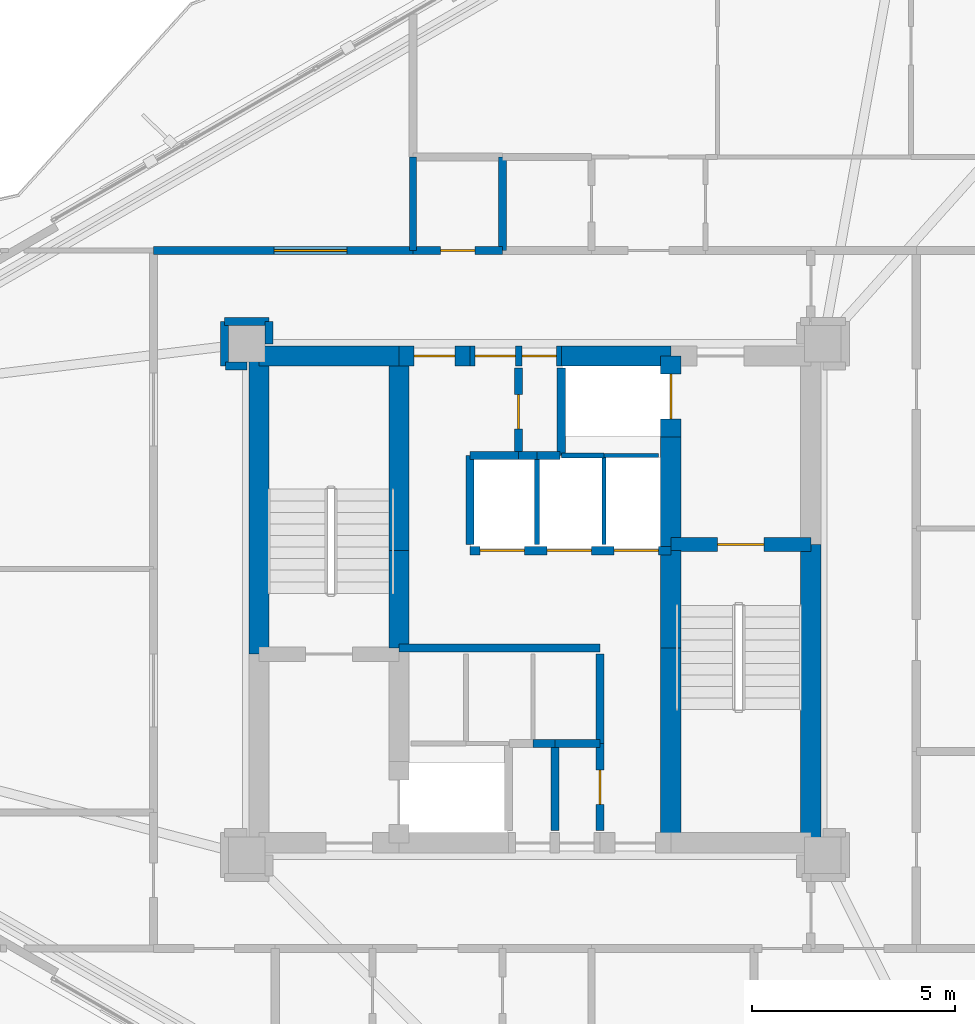
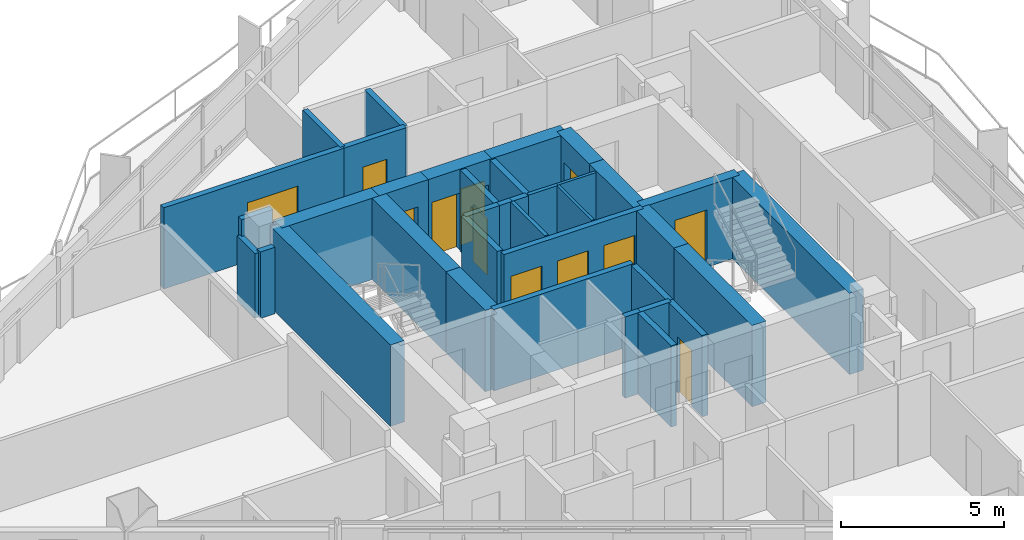
# One storey, part 17 of 22: 38 walls, 12 doors, 12 openings.
"""IFC4 building model written with IfcOpenShell, lengths in metres."""

from ifc_helpers import new_model, si_unit, direction, frame, frame_2d, origin, place, context, subcontext, project, spatial, rectangle, extrude, material, layer, layer_set, type_object, element, fill, save


model = new_model("IFC4")

# Units and contexts
model_context = context("Model", 3, precision=1e-05, world=origin(), true_north=direction((0.0, 1.0)))
body_context = subcontext(model_context, "Body", "Model", "MODEL_VIEW")
ifc_project = project(units=[si_unit("LENGTHUNIT", "METRE"), si_unit("AREAUNIT", "SQUARE_METRE"), si_unit("VOLUMEUNIT", "CUBIC_METRE"), si_unit("PLANEANGLEUNIT", "RADIAN"), si_unit("MASSUNIT", "GRAM", prefix="KILO")], contexts=[model_context])

# Site, building, storey
site_placement = place(None, origin())
site = spatial("IfcSite", under=ifc_project, at=site_placement, CompositionType="ELEMENT")
building_placement = place(site_placement, origin())
building = spatial("IfcBuilding", under=site, at=building_placement, Name="Mersakhor Tower and Convention Hall", CompositionType="ELEMENT")
storey_placement = place(building_placement, frame((0.0, 0.0, 90.0)))
storey = spatial("IfcBuildingStorey", under=building, at=storey_placement, Name="L24", CompositionType="ELEMENT", Elevation=90.0)

# Walls
ifc_material_1 = material(Name="Moisture-resistant acoustic drywall studwork", Category="other")
ifc_layer_1 = layer(ifc_material_1, 0.175048828125)
ifc_layer_set_1 = layer_set([ifc_layer_1], Name="Moisture-resistant acoustic drywall studwork")
wall_type_1 = type_object("IfcWallType", Name="WL-PLM-175", PredefinedType="PLUMBINGWALL", material=ifc_layer_set_1)
wall_1_placement = place(storey_placement, frame((26.0, 35.35009765625, 0.0), z_axis=(0.0, 0.0, 1.0), x_axis=(0.0, 1.0, 0.0)))
element("IfcWall", 1, at=wall_1_placement, inside=storey, type_object=wall_type_1, Name="L24 Interior Partition Wall P-068", PredefinedType="PLUMBINGWALL", context=body_context, shape_type="SweptSolid", body=[
    extrude(rectangle(XDim=2.2998046875, YDim=0.175048828125, at=frame_2d((1.14990234375, 0.0))), origin(), (0.0, 0.0, 1.0), 3.050048828125),
])
ifc_material_2 = material(Name="Lightweight gypsum partition", Category="other")
ifc_layer_2 = layer(ifc_material_2, 0.10009765625)
ifc_layer_set_2 = layer_set([ifc_layer_2], Name="Lightweight gypsum partition")
wall_type_2 = type_object("IfcWallType", Name="WL-PRT-100", PredefinedType="PARTITIONING", material=ifc_layer_set_2)
wall_2_placement = place(storey_placement, frame((32.050048828125, 30.300048828125, 0.0), z_axis=(0.0, 0.0, 1.0), x_axis=(-1.0, 0.0, 0.0)))
element("IfcWall", 2, at=wall_2_placement, inside=storey, type_object=wall_type_2, Name="L24 Interior Partition Wall P-004", PredefinedType="PARTITIONING", context=body_context, shape_type="SweptSolid", body=[
    extrude(rectangle(XDim=1.35009765625, YDim=0.10009765625, at=frame_2d((0.675048828125, 0.0))), origin(), (0.0, 0.0, 1.0), 3.050048828125),
])
wall_3_placement = place(storey_placement, frame((30.699951171875, 30.300048828125, 0.0), z_axis=(0.0, 0.0, 1.0), x_axis=(0.0, -1.0, 0.0)))
element("IfcWall", 3, at=wall_3_placement, inside=storey, type_object=wall_type_2, Name="L24 Interior Partition Wall P-018", PredefinedType="PARTITIONING", context=body_context, shape_type="SweptSolid", body=[
    extrude(rectangle(XDim=2.199951171875, YDim=0.10009765625, at=frame_2d((1.10009765625, 0.0))), origin(), (0.0, 0.0, 1.0), 3.050048828125),
])
ifc_material_3 = material(Name="Gypsum board acoustic partition", Category="other")
ifc_layer_3 = layer(ifc_material_3, 0.125)
ifc_layer_set_3 = layer_set([ifc_layer_3], Name="Gypsum board acoustic partition")
wall_type_3 = type_object("IfcWallType", Name="WL-PRT-125", PredefinedType="PARTITIONING", material=ifc_layer_set_3)
wall_4_placement = place(storey_placement, frame((30.699951171875, 30.300048828125, 0.0), z_axis=(0.0, 0.0, 1.0), x_axis=(-1.0, 0.0, 0.0)))
element("IfcWall", 4, at=wall_4_placement, inside=storey, type_object=wall_type_3, Name="L24 Interior Partition Wall P-005", PredefinedType="PARTITIONING", context=body_context, shape_type="SweptSolid", body=[
    extrude(rectangle(XDim=1.050048828125, YDim=0.125, at=frame_2d((0.52490234375, 0.0))), origin(), (0.0, 0.0, 1.0), 3.050048828125),
])
wall_5_placement = place(storey_placement, frame((29.050048828125, 30.300048828125, 0.0), z_axis=(0.0, 0.0, 1.0), x_axis=(0.0, -1.0, 0.0)))
element("IfcWall", 5, at=wall_5_placement, inside=storey, type_object=wall_type_3, Name="L24 Interior Partition Wall P-015", PredefinedType="PARTITIONING", context=body_context, shape_type="SweptSolid", body=[
    extrude(rectangle(XDim=2.199951171875, YDim=0.125, at=frame_2d((1.10009765625, 0.0))), origin(), (0.0, 0.0, 1.0), 3.050048828125),
])
ifc_material_4 = material(Name="Acoustic concrete blockwork and gypsum board", Category="masonry")
ifc_layer_4 = layer(ifc_material_4, 0.199951171875)
ifc_layer_set_4 = layer_set([ifc_layer_4], Name="Acoustic concrete blockwork and gypsum board")
wall_type_4 = type_object("IfcWallType", Name="WL-PRT-200", PredefinedType="PARTITIONING", material=ifc_layer_set_4)
wall_6_placement = place(storey_placement, frame((25.64990234375, 25.550048828125, 0.0), z_axis=(0.0, 0.0, 1.0), x_axis=(1.0, 0.0, 0.0)))
element("IfcWall", 6, at=wall_6_placement, inside=storey, type_object=wall_type_4, Name="L24 High-Rise Lift Bank Front Wall", PredefinedType="PARTITIONING", context=body_context, shape_type="SweptSolid", body=[
    extrude(rectangle(XDim=4.9501953125, YDim=0.199951171875, at=frame_2d((2.47509765625, 0.0))), origin(), (0.0, 0.0, 1.0), 3.050048828125),
])

# Wall, openings, doors
wall_7_placement = place(storey_placement, frame((27.39990234375, 27.949951171875, 0.0), z_axis=(0.0, 0.0, 1.0), x_axis=(1.0, 0.0, 0.0)))
wall_7 = element("IfcWall", 7, at=wall_7_placement, inside=storey, type_object=wall_type_4, Name="L24 Low-Rise Lift Bank Front Wall", PredefinedType="PARTITIONING", context=body_context, shape_type="SweptSolid", body=[
    extrude(rectangle(XDim=4.9501953125, YDim=0.199951171875, at=frame_2d((2.47509765625, 0.0))), origin(), (0.0, 0.0, 1.0), 3.050048828125),
])
opening_1_placement = place(wall_7_placement, frame((0.25, 0.0, 0.0)))
opening_1 = element("IfcOpeningElement", 8, at=opening_1_placement, cuts=wall_7, Name="Opening LD-P1", PredefinedType="OPENING", context=body_context, shape_type="SweptSolid", body=[
    extrude(rectangle(XDim=1.10009765625, YDim=2.14990234375, at=frame_2d((0.550048828125, 1.074951171875))), frame((0.0, 0.10986328125, 0.0), z_axis=(0.0, -1.0, 0.0), x_axis=(1.0, 0.0, 0.0)), (0.0, 0.0, 1.0), 0.219970703125),
])
opening_2_placement = place(wall_7_placement, frame((1.89990234375, 0.0, 0.0)))
opening_2 = element("IfcOpeningElement", 9, at=opening_2_placement, cuts=wall_7, Name="Opening LD-P2", PredefinedType="OPENING", context=body_context, shape_type="SweptSolid", body=[
    extrude(rectangle(XDim=1.10009765625, YDim=2.14990234375, at=frame_2d((0.550048828125, 1.074951171875))), frame((0.0, 0.10986328125, 0.0), z_axis=(0.0, -1.0, 0.0), x_axis=(1.0, 0.0, 0.0)), (0.0, 0.0, 1.0), 0.219970703125),
])
opening_3_placement = place(wall_7_placement, frame((3.550048828125, 0.0, 0.0)))
opening_3 = element("IfcOpeningElement", 10, at=opening_3_placement, cuts=wall_7, Name="Opening LD-P3", PredefinedType="OPENING", context=body_context, shape_type="SweptSolid", body=[
    extrude(rectangle(XDim=1.10009765625, YDim=2.14990234375, at=frame_2d((0.550048828125, 1.074951171875))), frame((0.0, 0.10986328125, 0.0), z_axis=(0.0, -1.0, 0.0), x_axis=(1.0, 0.0, 0.0)), (0.0, 0.0, 1.0), 0.219970703125),
])
ifc_material_5 = material(Name="Fire-rated brushed stainless steel sliding landing door", Category="steel")
door_type_1 = type_object("IfcDoorType", Name="DR-LIFT-SLD-110x215", OperationType="NOTDEFINED", PredefinedType="DOOR", material=ifc_material_5)
door_1_placement = place(opening_1_placement, origin())
door_1 = element("IfcDoor", 11, at=door_1_placement, inside=storey, type_object=door_type_1, Name="L24 Lift Landing Door LD-P1", OperationType="SLIDING_TO_LEFT", OverallHeight=2.14990234375, OverallWidth=1.10009765625, PredefinedType="DOOR", context=body_context, shape_type="SweptSolid", body=[
    extrude(rectangle(XDim=1.10009765625, YDim=2.14990234375, at=frame_2d((0.550048828125, 1.074951171875))), frame((0.0, 0.02490234375, 0.0), z_axis=(0.0, -1.0, 0.0), x_axis=(1.0, 0.0, 0.0)), (0.0, 0.0, 1.0), 0.050048828125),
])
fill(opening_1, door_1)
door_2_placement = place(opening_2_placement, origin())
door_2 = element("IfcDoor", 12, at=door_2_placement, inside=storey, type_object=door_type_1, Name="L24 Lift Landing Door LD-P2", OperationType="SLIDING_TO_LEFT", OverallHeight=2.14990234375, OverallWidth=1.10009765625, PredefinedType="DOOR", context=body_context, shape_type="SweptSolid", body=[
    extrude(rectangle(XDim=1.10009765625, YDim=2.14990234375, at=frame_2d((0.550048828125, 1.074951171875))), frame((0.0, 0.02490234375, 0.0), z_axis=(0.0, -1.0, 0.0), x_axis=(1.0, 0.0, 0.0)), (0.0, 0.0, 1.0), 0.050048828125),
])
fill(opening_2, door_2)
door_3_placement = place(opening_3_placement, origin())
door_3 = element("IfcDoor", 13, at=door_3_placement, inside=storey, type_object=door_type_1, Name="L24 Lift Landing Door LD-P3", OperationType="SLIDING_TO_LEFT", OverallHeight=2.14990234375, OverallWidth=1.10009765625, PredefinedType="DOOR", context=body_context, shape_type="SweptSolid", body=[
    extrude(rectangle(XDim=1.10009765625, YDim=2.14990234375, at=frame_2d((0.550048828125, 1.074951171875))), frame((0.0, 0.02490234375, 0.0), z_axis=(0.0, -1.0, 0.0), x_axis=(1.0, 0.0, 0.0)), (0.0, 0.0, 1.0), 0.050048828125),
])
fill(opening_3, door_3)

# Walls
wall_8_placement = place(storey_placement, frame((29.64990234375, 30.300048828125, 0.0), z_axis=(0.0, 0.0, 1.0), x_axis=(0.0, 1.0, 0.0)))
element("IfcWall", 14, at=wall_8_placement, inside=storey, type_object=wall_type_4, Name="L24 Interior Partition Wall P-006", PredefinedType="PARTITIONING", context=body_context, shape_type="SweptSolid", body=[
    extrude(rectangle(XDim=2.14990234375, YDim=0.199951171875, at=frame_2d((1.074951171875, 0.0))), origin(), (0.0, 0.0, 1.0), 3.050048828125),
])
wall_9_placement = place(storey_placement, frame((30.60009765625, 25.39990234375, 0.0), z_axis=(0.0, 0.0, 1.0), x_axis=(0.0, -1.0, 0.0)))
element("IfcWall", 15, at=wall_9_placement, inside=storey, type_object=wall_type_4, Name="L24 Interior Partition Wall P-010", PredefinedType="PARTITIONING", context=body_context, shape_type="SweptSolid", body=[
    extrude(rectangle(XDim=2.199951171875, YDim=0.199951171875, at=frame_2d((1.10009765625, 0.0))), origin(), (0.0, 0.0, 1.0), 3.050048828125),
])
wall_10_placement = place(storey_placement, frame((30.60009765625, 23.199951171875, 0.0), z_axis=(0.0, 0.0, 1.0), x_axis=(-1.0, 0.0, 0.0)))
element("IfcWall", 16, at=wall_10_placement, inside=storey, type_object=wall_type_4, Name="L24 Interior Partition Wall P-011", PredefinedType="PARTITIONING", context=body_context, shape_type="SweptSolid", body=[
    extrude(rectangle(XDim=1.10009765625, YDim=0.199951171875, at=frame_2d((0.550048828125, 0.0))), origin(), (0.0, 0.0, 1.0), 3.050048828125),
])
wall_11_placement = place(storey_placement, frame((29.5, 23.199951171875, 0.0), z_axis=(0.0, 0.0, 1.0), x_axis=(-1.0, 0.0, 0.0)))
element("IfcWall", 17, at=wall_11_placement, inside=storey, type_object=wall_type_4, Name="L24 Interior Partition Wall P-012", PredefinedType="PARTITIONING", context=body_context, shape_type="SweptSolid", body=[
    extrude(rectangle(XDim=0.550048828125, YDim=0.199951171875, at=frame_2d((0.27490234375, 0.0))), origin(), (0.0, 0.0, 1.0), 3.050048828125),
])
wall_12_placement = place(storey_placement, frame((27.39990234375, 30.300048828125, 0.0), z_axis=(0.0, 0.0, 1.0), x_axis=(1.0, 0.0, 0.0)))
element("IfcWall", 18, at=wall_12_placement, inside=storey, type_object=wall_type_4, Name="L24 Interior Partition Wall P-013", PredefinedType="PARTITIONING", context=body_context, shape_type="SweptSolid", body=[
    extrude(rectangle(XDim=1.2001953125, YDim=0.199951171875, at=frame_2d((0.60009765625, 0.0))), origin(), (0.0, 0.0, 1.0), 3.050048828125),
])
wall_13_placement = place(storey_placement, frame((28.60009765625, 30.300048828125, 0.0), z_axis=(0.0, 0.0, 1.0), x_axis=(1.0, 0.0, 0.0)))
element("IfcWall", 19, at=wall_13_placement, inside=storey, type_object=wall_type_4, Name="L24 Interior Partition Wall P-014", PredefinedType="PARTITIONING", context=body_context, shape_type="SweptSolid", body=[
    extrude(rectangle(XDim=0.449951171875, YDim=0.199951171875, at=frame_2d((0.22509765625, 0.0))), origin(), (0.0, 0.0, 1.0), 3.050048828125),
])
wall_14_placement = place(storey_placement, frame((27.39990234375, 28.10009765625, 0.0), z_axis=(0.0, 0.0, 1.0), x_axis=(0.0, 1.0, 0.0)))
element("IfcWall", 20, at=wall_14_placement, inside=storey, type_object=wall_type_4, Name="L24 Interior Partition Wall P-016", PredefinedType="PARTITIONING", context=body_context, shape_type="SweptSolid", body=[
    extrude(rectangle(XDim=2.199951171875, YDim=0.199951171875, at=frame_2d((1.10009765625, 0.0))), origin(), (0.0, 0.0, 1.0), 3.050048828125),
])
wall_15_placement = place(storey_placement, frame((29.050048828125, 30.300048828125, 0.0), z_axis=(0.0, 0.0, 1.0), x_axis=(1.0, 0.0, 0.0)))
element("IfcWall", 21, at=wall_15_placement, inside=storey, type_object=wall_type_4, Name="L24 Interior Partition Wall P-017", PredefinedType="PARTITIONING", context=body_context, shape_type="SweptSolid", body=[
    extrude(rectangle(XDim=0.570068359375, YDim=0.199951171875, at=frame_2d((0.28515625, 0.0))), origin(), (0.0, 0.0, 1.0), 3.050048828125),
])

# Wall, opening, door
wall_16_placement = place(storey_placement, frame((30.60009765625, 21.050048828125, 0.0), z_axis=(0.0, 0.0, 1.0), x_axis=(0.0, 1.0, 0.0)))
wall_16 = element("IfcWall", 22, at=wall_16_placement, inside=storey, type_object=wall_type_4, Name="L24 Interior Partition Wall P-019", PredefinedType="PARTITIONING", context=body_context, shape_type="SweptSolid", body=[
    extrude(rectangle(XDim=2.14990234375, YDim=0.199951171875, at=frame_2d((1.074951171875, 0.0))), origin(), (0.0, 0.0, 1.0), 3.050048828125),
])
opening_4_placement = place(wall_16_placement, frame((0.64990234375, 0.0, 0.0)))
opening_4 = element("IfcOpeningElement", 23, at=opening_4_placement, cuts=wall_16, Name="Opening SVD-01", PredefinedType="OPENING", context=body_context, shape_type="SweptSolid", body=[
    extrude(rectangle(XDim=0.85009765625, YDim=2.10009765625, at=frame_2d((0.425048828125, 1.050048828125))), frame((0.0, 0.10986328125, 0.0), z_axis=(0.0, -1.0, 0.0), x_axis=(1.0, 0.0, 0.0)), (0.0, 0.0, 1.0), 0.219970703125),
])
ifc_material_6 = material(Name="Fire-rated hardwood leaf and painted steel frame", Category="steel")
door_type_2 = type_object("IfcDoorType", Name="DR-INT-SVC-085x210", OperationType="NOTDEFINED", PredefinedType="DOOR", material=ifc_material_6)
door_4_placement = place(opening_4_placement, origin())
door_4 = element("IfcDoor", 24, at=door_4_placement, inside=storey, type_object=door_type_2, Name="L24 Central Passenger Lift Lobby to Refuse and Recycling Room Door", OperationType="SINGLE_SWING_RIGHT", OverallHeight=2.10009765625, OverallWidth=0.85009765625, PredefinedType="DOOR", context=body_context, shape_type="SweptSolid", body=[
    extrude(rectangle(XDim=0.85009765625, YDim=2.10009765625, at=frame_2d((0.425048828125, 1.050048828125))), frame((0.0, 0.02490234375, 0.0), z_axis=(0.0, -1.0, 0.0), x_axis=(1.0, 0.0, 0.0)), (0.0, 0.0, 1.0), 0.050048828125),
])
fill(opening_4, door_4)

wall_17_placement = place(storey_placement, frame((28.60009765625, 32.449951171875, 0.0), z_axis=(0.0, 0.0, 1.0), x_axis=(0.0, -1.0, 0.0)))
wall_17 = element("IfcWall", 25, at=wall_17_placement, inside=storey, type_object=wall_type_4, Name="L24 Interior Partition Wall P-020", PredefinedType="PARTITIONING", context=body_context, shape_type="SweptSolid", body=[
    extrude(rectangle(XDim=2.14990234375, YDim=0.199951171875, at=frame_2d((1.074951171875, 0.0))), origin(), (0.0, 0.0, 1.0), 3.050048828125),
])
opening_5_placement = place(wall_17_placement, frame((0.64990234375, 0.0, 0.0)))
opening_5 = element("IfcOpeningElement", 26, at=opening_5_placement, cuts=wall_17, Name="Opening SVD-01", PredefinedType="OPENING", context=body_context, shape_type="SweptSolid", body=[
    extrude(rectangle(XDim=0.85009765625, YDim=2.10009765625, at=frame_2d((0.425048828125, 1.050048828125))), frame((0.0, 0.10986328125, 0.0), z_axis=(0.0, -1.0, 0.0), x_axis=(1.0, 0.0, 0.0)), (0.0, 0.0, 1.0), 0.219970703125),
])
door_5_placement = place(opening_5_placement, origin())
door_5 = element("IfcDoor", 27, at=door_5_placement, inside=storey, type_object=door_type_2, Name="L24 Central Passenger Lift Lobby to Cleaner Store Room Door", OperationType="SINGLE_SWING_LEFT", OverallHeight=2.10009765625, OverallWidth=0.85009765625, PredefinedType="DOOR", context=body_context, shape_type="SweptSolid", body=[
    extrude(rectangle(XDim=0.85009765625, YDim=2.10009765625, at=frame_2d((0.425048828125, 1.050048828125))), frame((0.0, 0.02490234375, 0.0), z_axis=(0.0, -1.0, 0.0), x_axis=(1.0, 0.0, 0.0)), (0.0, 0.0, 1.0), 0.050048828125),
])
fill(opening_5, door_5)

wall_18_placement = place(storey_placement, frame((19.60009765625, 35.35009765625, 0.0), z_axis=(0.0, 0.0, 1.0), x_axis=(1.0, 0.0, 0.0)))
wall_18 = element("IfcWall", 28, at=wall_18_placement, inside=storey, type_object=wall_type_4, Name="L24 Interior Partition Wall P-035", PredefinedType="PARTITIONING", context=body_context, shape_type="SweptSolid", body=[
    extrude(rectangle(XDim=6.39990234375, YDim=0.199951171875, at=frame_2d((3.199951171875, 0.0))), origin(), (0.0, 0.0, 1.0), 3.050048828125),
])
opening_6_placement = place(wall_18_placement, frame((2.966064453125, 0.0, 0.0)))
opening_6 = element("IfcOpeningElement", 29, at=opening_6_placement, cuts=wall_18, Name="Opening HD-01", PredefinedType="OPENING", context=body_context, shape_type="SweptSolid", body=[
    extrude(rectangle(XDim=1.800048828125, YDim=2.199951171875, at=frame_2d((0.89990234375, 1.10009765625))), frame((0.0, 0.10986328125, 0.0), z_axis=(0.0, -1.0, 0.0), x_axis=(1.0, 0.0, 0.0)), (0.0, 0.0, 1.0), 0.219970703125),
])
ifc_material_7 = material(Name="Fire-rated hardwood leaf and painted steel frame", Category="steel")
door_type_3 = type_object("IfcDoorType", Name="DR-INT-HALL-180x220", OperationType="NOTDEFINED", PredefinedType="DOOR", material=ifc_material_7)
door_6_placement = place(opening_6_placement, origin())
door_6 = element("IfcDoor", 30, at=door_6_placement, inside=storey, type_object=door_type_3, Name="L24 Residential Ring Corridor to L24 North Residents Multi-Purpose Assembly Hall Door", OperationType="DOUBLE_DOOR_SINGLE_SWING", OverallHeight=2.199951171875, OverallWidth=1.800048828125, PredefinedType="DOOR", context=body_context, shape_type="SweptSolid", body=[
    extrude(rectangle(XDim=1.800048828125, YDim=2.199951171875, at=frame_2d((0.89990234375, 1.10009765625))), frame((0.0, 0.02490234375, 0.0), z_axis=(0.0, -1.0, 0.0), x_axis=(1.0, 0.0, 0.0)), (0.0, 0.0, 1.0), 0.050048828125),
])
fill(opening_6, door_6)

wall_19_placement = place(storey_placement, frame((26.0, 35.35009765625, 0.0), z_axis=(0.0, 0.0, 1.0), x_axis=(1.0, 0.0, 0.0)))
wall_19 = element("IfcWall", 31, at=wall_19_placement, inside=storey, type_object=wall_type_4, Name="L24 Interior Partition Wall P-036", PredefinedType="PARTITIONING", context=body_context, shape_type="SweptSolid", body=[
    extrude(rectangle(XDim=2.199951171875, YDim=0.199951171875, at=frame_2d((1.10009765625, 0.0))), origin(), (0.0, 0.0, 1.0), 3.050048828125),
])
opening_7_placement = place(wall_19_placement, frame((0.675048828125, 0.0, 0.0)))
opening_7 = element("IfcOpeningElement", 32, at=opening_7_placement, cuts=wall_19, Name="Opening SVD-01", PredefinedType="OPENING", context=body_context, shape_type="SweptSolid", body=[
    extrude(rectangle(XDim=0.85009765625, YDim=2.10009765625, at=frame_2d((0.425048828125, 1.050048828125))), frame((0.0, 0.10986328125, 0.0), z_axis=(0.0, -1.0, 0.0), x_axis=(1.0, 0.0, 0.0)), (0.0, 0.0, 1.0), 0.219970703125),
])
door_7_placement = place(opening_7_placement, origin())
door_7 = element("IfcDoor", 33, at=door_7_placement, inside=storey, type_object=door_type_2, Name="L24 Residential Ring Corridor to L24 North Floor Accessible Toilet WC Door", OperationType="SINGLE_SWING_RIGHT", OverallHeight=2.10009765625, OverallWidth=0.85009765625, PredefinedType="DOOR", context=body_context, shape_type="SweptSolid", body=[
    extrude(rectangle(XDim=0.85009765625, YDim=2.10009765625, at=frame_2d((0.425048828125, 1.050048828125))), frame((0.0, 0.02490234375, 0.0), z_axis=(0.0, -1.0, 0.0), x_axis=(1.0, 0.0, 0.0)), (0.0, 0.0, 1.0), 0.050048828125),
])
fill(opening_7, door_7)

# Walls
wall_20_placement = place(storey_placement, frame((22.449951171875, 33.050048828125, 0.0), z_axis=(0.0, 0.0, 1.0), x_axis=(0.0, 1.0, 0.0)))
element("IfcWall", 34, at=wall_20_placement, inside=storey, type_object=wall_type_4, Name="L24 Interior Partition Wall P-043", PredefinedType="PARTITIONING", context=body_context, shape_type="SweptSolid", body=[
    extrude(rectangle(XDim=0.550048828125, YDim=0.199951171875, at=frame_2d((0.27490234375, 0.0))), origin(), (0.0, 0.0, 1.0), 2.498291015625),
])
wall_21_placement = place(storey_placement, frame((22.449951171875, 33.60009765625, 0.0), z_axis=(0.0, 0.0, 1.0), x_axis=(-1.0, 0.0, 0.0)))
element("IfcWall", 35, at=wall_21_placement, inside=storey, type_object=wall_type_4, Name="L24 Interior Partition Wall P-044", PredefinedType="PARTITIONING", context=body_context, shape_type="SweptSolid", body=[
    extrude(rectangle(XDim=1.099853515625, YDim=0.199951171875, at=frame_2d((0.5498046875, 0.0))), origin(), (0.0, 0.0, 1.0), 3.050048828125),
])
wall_22_placement = place(storey_placement, frame((21.35009765625, 33.60009765625, 0.0), z_axis=(0.0, 0.0, 1.0), x_axis=(0.0, -1.0, 0.0)))
element("IfcWall", 36, at=wall_22_placement, inside=storey, type_object=wall_type_4, Name="L24 Interior Partition Wall P-045", PredefinedType="PARTITIONING", context=body_context, shape_type="SweptSolid", body=[
    extrude(rectangle(XDim=1.10009765625, YDim=0.199951171875, at=frame_2d((0.550048828125, 0.0))), origin(), (0.0, 0.0, 1.0), 2.4228515625),
])
wall_23_placement = place(storey_placement, frame((21.3798828125, 32.5, 0.0), z_axis=(0.0, 0.0, 1.0), x_axis=(1.0, 0.0, 0.0)))
element("IfcWall", 37, at=wall_23_placement, inside=storey, type_object=wall_type_4, Name="L24 Interior Partition Wall P-046", PredefinedType="PARTITIONING", context=body_context, shape_type="SweptSolid", body=[
    extrude(rectangle(XDim=0.52001953125, YDim=0.199951171875, at=frame_2d((0.260009765625, 0.0))), origin(), (0.0, 0.0, 1.0), 2.498291015625),
])
wall_24_placement = place(storey_placement, frame((28.199951171875, 37.64990234375, 0.0), z_axis=(0.0, 0.0, 1.0), x_axis=(0.0, -1.0, 0.0)))
element("IfcWall", 38, at=wall_24_placement, inside=storey, type_object=wall_type_4, Name="L24 Interior Partition Wall P-067", PredefinedType="PARTITIONING", context=body_context, shape_type="SweptSolid", body=[
    extrude(rectangle(XDim=2.2998046875, YDim=0.199951171875, at=frame_2d((1.14990234375, 0.0))), origin(), (0.0, 0.0, 1.0), 3.050048828125),
])
wall_25_placement = place(storey_placement, frame((29.5, 23.199951171875, 0.0), z_axis=(0.0, 0.0, 1.0), x_axis=(0.0, -1.0, 0.0)))
element("IfcWall", 39, at=wall_25_placement, inside=storey, type_object=wall_type_4, Name="L24 Interior Partition Wall P-085", PredefinedType="PARTITIONING", context=body_context, shape_type="SweptSolid", body=[
    extrude(rectangle(XDim=2.14990234375, YDim=0.199951171875, at=frame_2d((1.074951171875, 0.0))), origin(), (0.0, 0.0, 1.0), 3.050048828125),
])

# Wall, opening, door
ifc_material_8 = material(Name="Concrete C50/60", Category="concrete")
ifc_layer_5 = layer(ifc_material_8, 0.35009765625)
ifc_layer_set_5 = layer_set([ifc_layer_5], Name="Concrete C50/60")
wall_type_5 = type_object("IfcWallType", Name="WL-SHR-350", PredefinedType="SHEAR", material=ifc_layer_set_5)
wall_26_placement = place(storey_placement, frame((32.35009765625, 28.10009765625, 0.0), z_axis=(0.0, 0.0, 1.0), x_axis=(1.0, 0.0, 0.0)))
wall_26 = element("IfcWall", 40, at=wall_26_placement, inside=storey, type_object=wall_type_5, Name="L24 Core Wall CS-ST2-N", PredefinedType="SHEAR", context=body_context, shape_type="SweptSolid", body=[
    extrude(rectangle(XDim=3.449951171875, YDim=0.35009765625, at=frame_2d((1.72509765625, 0.0))), origin(), (0.0, 0.0, 1.0), 3.050048828125),
])
opening_8_placement = place(wall_26_placement, frame((1.14990234375, 0.0, 0.0)))
opening_8 = element("IfcOpeningElement", 41, at=opening_8_placement, cuts=wall_26, Name="Opening SD-01", PredefinedType="OPENING", context=body_context, shape_type="SweptSolid", body=[
    extrude(rectangle(XDim=1.14990234375, YDim=2.14990234375, at=frame_2d((0.574951171875, 1.074951171875))), frame((0.0, 0.18505859375, 0.0), z_axis=(0.0, -1.0, 0.0), x_axis=(1.0, 0.0, 0.0)), (0.0, 0.0, 1.0), 0.3701171875),
])
ifc_material_9 = material(Name="Fire-rated hardwood leaf and painted steel frame", Category="steel")
door_type_4 = type_object("IfcDoorType", Name="DR-INT-STAIR-115x215", OperationType="NOTDEFINED", PredefinedType="DOOR", material=ifc_material_9)
door_8_placement = place(opening_8_placement, origin())
door_8 = element("IfcDoor", 42, at=door_8_placement, inside=storey, type_object=door_type_4, Name="L24 Exit Stair ST-2 Enclosure Door", OperationType="SINGLE_SWING_RIGHT", OverallHeight=2.14990234375, OverallWidth=1.14990234375, PredefinedType="DOOR", context=body_context, shape_type="SweptSolid", body=[
    extrude(rectangle(XDim=1.14990234375, YDim=2.14990234375, at=frame_2d((0.574951171875, 1.074951171875))), frame((0.0, 0.02490234375, 0.0), z_axis=(0.0, -1.0, 0.0), x_axis=(1.0, 0.0, 0.0)), (0.0, 0.0, 1.0), 0.050048828125),
])
fill(opening_8, door_8)

# Walls
ifc_material_10 = material(Name="Concrete C70/85", Category="concrete")
ifc_layer_6 = layer(ifc_material_10, 0.5)
ifc_layer_set_6 = layer_set([ifc_layer_6], Name="Concrete C70/85")
wall_type_6 = type_object("IfcWallType", Name="WL-SHR-500", PredefinedType="SHEAR", material=ifc_layer_set_6)
wall_27_placement = place(storey_placement, frame((22.199951171875, 25.39990234375, 0.0), z_axis=(0.0, 0.0, 1.0), x_axis=(0.0, 1.0, 0.0)))
element("IfcWall", 43, at=wall_27_placement, inside=storey, type_object=wall_type_6, Name="L24 Core Wall CW-W2", PredefinedType="SHEAR", context=body_context, shape_type="SweptSolid", body=[
    extrude(rectangle(XDim=7.35009765625, YDim=0.5, at=frame_2d((3.675048828125, 0.0))), origin(), (0.0, 0.0, 1.0), 3.050048828125),
])
wall_28_placement = place(storey_placement, frame((22.199951171875, 32.75, 0.0), z_axis=(0.0, 0.0, 1.0), x_axis=(1.0, 0.0, 0.0)))
element("IfcWall", 44, at=wall_28_placement, inside=storey, type_object=wall_type_6, Name="L24 Core Wall CW-N1", PredefinedType="SHEAR", context=body_context, shape_type="SweptSolid", body=[
    extrude(rectangle(XDim=3.449951171875, YDim=0.5, at=frame_2d((1.72509765625, 0.0))), origin(), (0.0, 0.0, 1.0), 3.050048828125),
])

# Wall, opening, door
wall_29_placement = place(storey_placement, frame((25.64990234375, 32.75, 0.0), z_axis=(0.0, 0.0, 1.0), x_axis=(1.0, 0.0, 0.0)))
wall_29 = element("IfcWall", 45, at=wall_29_placement, inside=storey, type_object=wall_type_6, Name="L24 Core Wall CW-N2A", PredefinedType="SHEAR", context=body_context, shape_type="SweptSolid", body=[
    extrude(rectangle(XDim=1.75, YDim=0.5, at=frame_2d((0.875, 0.0))), origin(), (0.0, 0.0, 1.0), 3.050048828125),
])
opening_9_placement = place(wall_29_placement, frame((0.375, 0.0, 0.0)))
opening_9 = element("IfcOpeningElement", 46, at=opening_9_placement, cuts=wall_29, Name="Opening CFD-01", PredefinedType="OPENING", context=body_context, shape_type="SweptSolid", body=[
    extrude(rectangle(XDim=1.0, YDim=2.14990234375, at=frame_2d((0.5, 1.074951171875))), frame((0.0, 0.260009765625, 0.0), z_axis=(0.0, -1.0, 0.0), x_axis=(1.0, 0.0, 0.0)), (0.0, 0.0, 1.0), 0.52001953125),
])
ifc_material_11 = material(Name="Fire-rated hardwood leaf and painted steel frame", Category="steel")
door_type_5 = type_object("IfcDoorType", Name="DR-CORE-FD-100x215", OperationType="NOTDEFINED", PredefinedType="DOOR", material=ifc_material_11)
door_9_placement = place(opening_9_placement, origin())
door_9 = element("IfcDoor", 47, at=door_9_placement, inside=storey, type_object=door_type_5, Name="L24 Lift Lobby North Corridor Door", OperationType="SINGLE_SWING_LEFT", OverallHeight=2.14990234375, OverallWidth=1.0, PredefinedType="DOOR", context=body_context, shape_type="SweptSolid", body=[
    extrude(rectangle(XDim=1.0, YDim=2.14990234375, at=frame_2d((0.5, 1.074951171875))), frame((0.0, 0.02490234375, 0.0), z_axis=(0.0, -1.0, 0.0), x_axis=(1.0, 0.0, 0.0)), (0.0, 0.0, 1.0), 0.050048828125),
])
fill(opening_9, door_9)

# Wall, openings, doors
wall_30_placement = place(storey_placement, frame((27.39990234375, 32.75, 0.0), z_axis=(0.0, 0.0, 1.0), x_axis=(1.0, 0.0, 0.0)))
wall_30 = element("IfcWall", 48, at=wall_30_placement, inside=storey, type_object=wall_type_6, Name="L24 Core Wall CW-N2B", PredefinedType="SHEAR", context=body_context, shape_type="SweptSolid", body=[
    extrude(rectangle(XDim=2.25, YDim=0.5, at=frame_2d((1.125, 0.0))), origin(), (0.0, 0.0, 1.0), 3.050048828125),
])
opening_10_placement = place(wall_30_placement, frame((0.1201171875, 0.0, 0.0)))
opening_10 = element("IfcOpeningElement", 49, at=opening_10_placement, cuts=wall_30, Name="Opening FD-01", PredefinedType="OPENING", context=body_context, shape_type="SweptSolid", body=[
    extrude(rectangle(XDim=1.0, YDim=2.14990234375, at=frame_2d((0.5, 1.074951171875))), frame((0.0, 0.260009765625, 0.0), z_axis=(0.0, -1.0, 0.0), x_axis=(1.0, 0.0, 0.0)), (0.0, 0.0, 1.0), 0.52001953125),
])
opening_11_placement = place(wall_30_placement, frame((1.280029296875, 0.0, 0.0)))
opening_11 = element("IfcOpeningElement", 50, at=opening_11_placement, cuts=wall_30, Name="Opening SVD-01", PredefinedType="OPENING", context=body_context, shape_type="SweptSolid", body=[
    extrude(rectangle(XDim=0.85009765625, YDim=2.10009765625, at=frame_2d((0.425048828125, 1.050048828125))), frame((0.0, 0.260009765625, 0.0), z_axis=(0.0, -1.0, 0.0), x_axis=(1.0, 0.0, 0.0)), (0.0, 0.0, 1.0), 0.52001953125),
])
ifc_material_12 = material(Name="Fire-rated hardwood leaf and painted steel frame", Category="steel")
door_type_6 = type_object("IfcDoorType", Name="DR-INT-FLT-100x215", OperationType="NOTDEFINED", PredefinedType="DOOR", material=ifc_material_12)
door_10_placement = place(opening_10_placement, origin())
door_10 = element("IfcDoor", 51, at=door_10_placement, inside=storey, type_object=door_type_6, Name="L24 Central Passenger Lift Lobby to Residential Ring Corridor Door", OperationType="SINGLE_SWING_LEFT", OverallHeight=2.14990234375, OverallWidth=1.0, PredefinedType="DOOR", context=body_context, shape_type="SweptSolid", body=[
    extrude(rectangle(XDim=1.0, YDim=2.14990234375, at=frame_2d((0.5, 1.074951171875))), frame((0.0, 0.02490234375, 0.0), z_axis=(0.0, -1.0, 0.0), x_axis=(1.0, 0.0, 0.0)), (0.0, 0.0, 1.0), 0.050048828125),
])
fill(opening_10, door_10)
door_11_placement = place(opening_11_placement, origin())
door_11 = element("IfcDoor", 52, at=door_11_placement, inside=storey, type_object=door_type_2, Name="L24 Residential Ring Corridor to Cleaner Store Room Door", OperationType="SINGLE_SWING_RIGHT", OverallHeight=2.10009765625, OverallWidth=0.85009765625, PredefinedType="DOOR", context=body_context, shape_type="SweptSolid", body=[
    extrude(rectangle(XDim=0.85009765625, YDim=2.10009765625, at=frame_2d((0.425048828125, 1.050048828125))), frame((0.0, 0.02490234375, 0.0), z_axis=(0.0, -1.0, 0.0), x_axis=(1.0, 0.0, 0.0)), (0.0, 0.0, 1.0), 0.050048828125),
])
fill(opening_11, door_11)

# Walls
wall_31_placement = place(storey_placement, frame((29.64990234375, 32.75, 0.0), z_axis=(0.0, 0.0, 1.0), x_axis=(1.0, 0.0, 0.0)))
element("IfcWall", 53, at=wall_31_placement, inside=storey, type_object=wall_type_6, Name="L24 Core Wall CW-N3", PredefinedType="SHEAR", context=body_context, shape_type="SweptSolid", body=[
    extrude(rectangle(XDim=2.7001953125, YDim=0.5, at=frame_2d((1.35009765625, 0.0))), origin(), (0.0, 0.0, 1.0), 3.050048828125),
])
wall_32_placement = place(storey_placement, frame((35.800048828125, 28.10009765625, 0.0), z_axis=(0.0, 0.0, 1.0), x_axis=(0.0, -1.0, 0.0)))
element("IfcWall", 54, at=wall_32_placement, inside=storey, type_object=wall_type_6, Name="L24 Core Wall CW-E2", PredefinedType="SHEAR", context=body_context, shape_type="SweptSolid", body=[
    extrude(rectangle(XDim=7.35009765625, YDim=0.5, at=frame_2d((3.675048828125, 0.0))), origin(), (0.0, 0.0, 1.0), 3.050048828125),
])
wall_33_placement = place(storey_placement, frame((25.64990234375, 25.550048828125, 0.0), z_axis=(0.0, 0.0, 1.0), x_axis=(0.0, 1.0, 0.0)))
element("IfcWall", 55, at=wall_33_placement, inside=storey, type_object=wall_type_6, Name="L24 Core Wall CS-W-LOB", PredefinedType="SHEAR", context=body_context, shape_type="SweptSolid", body=[
    extrude(rectangle(XDim=2.39990234375, YDim=0.5, at=frame_2d((1.199951171875, 0.0))), origin(), (0.0, 0.0, 1.0), 3.050048828125),
])
for number, where, z_axis, x_axis, name in (
    (56, (25.64990234375, 27.949951171875, 0.0), (0.0, 0.0, 1.0), (0.0, 1.0, 0.0), "L24 Core Wall CS-W-ST1"),
    (57, (32.35009765625, 20.75, 0.0), (0.0, 0.0, 1.0), (0.0, 1.0, 0.0), "L24 Core Wall CS-E-ST2"),
):
    element("IfcWall", number, at=place(storey_placement, frame(where, z_axis=z_axis, x_axis=x_axis)), inside=storey, type_object=wall_type_6, Name=name, PredefinedType="SHEAR", context=body_context, shape_type="SweptSolid", body=[
        extrude(rectangle(XDim=4.800048828125, YDim=0.5, at=frame_2d((2.39990234375, 0.0))), origin(), (0.0, 0.0, 1.0), 3.050048828125),
    ])
wall_34_placement = place(storey_placement, frame((32.35009765625, 25.550048828125, 0.0), z_axis=(0.0, 0.0, 1.0), x_axis=(0.0, 1.0, 0.0)))
element("IfcWall", 58, at=wall_34_placement, inside=storey, type_object=wall_type_6, Name="L24 Core Wall CS-E-LOB", PredefinedType="SHEAR", context=body_context, shape_type="SweptSolid", body=[
    extrude(rectangle(XDim=2.39990234375, YDim=0.5, at=frame_2d((1.199951171875, 0.0))), origin(), (0.0, 0.0, 1.0), 3.050048828125),
])
wall_35_placement = place(storey_placement, frame((32.35009765625, 27.949951171875, 0.0), z_axis=(0.0, 0.0, 1.0), x_axis=(0.0, 1.0, 0.0)))
element("IfcWall", 59, at=wall_35_placement, inside=storey, type_object=wall_type_6, Name="L24 Core Wall CS-E-MID", PredefinedType="SHEAR", context=body_context, shape_type="SweptSolid", body=[
    extrude(rectangle(XDim=2.800048828125, YDim=0.5, at=frame_2d((1.39990234375, 0.0))), origin(), (0.0, 0.0, 1.0), 3.050048828125),
])

# Wall, opening, door
wall_36_placement = place(storey_placement, frame((32.35009765625, 30.75, 0.0), z_axis=(0.0, 0.0, 1.0), x_axis=(0.0, 1.0, 0.0)))
wall_36 = element("IfcWall", 60, at=wall_36_placement, inside=storey, type_object=wall_type_6, Name="L24 Core Wall CS-E-FFL", PredefinedType="SHEAR", context=body_context, shape_type="SweptSolid", body=[
    extrude(rectangle(XDim=2.0, YDim=0.5, at=frame_2d((1.0, 0.0))), origin(), (0.0, 0.0, 1.0), 3.050048828125),
])
opening_12_placement = place(wall_36_placement, frame((0.449951171875, 0.0, 0.0)))
opening_12 = element("IfcOpeningElement", 61, at=opening_12_placement, cuts=wall_36, Name="Opening LD-FFL2", PredefinedType="OPENING", context=body_context, shape_type="SweptSolid", body=[
    extrude(rectangle(XDim=1.10009765625, YDim=2.14990234375, at=frame_2d((0.550048828125, 1.074951171875))), frame((0.0, 0.260009765625, 0.0), z_axis=(0.0, -1.0, 0.0), x_axis=(1.0, 0.0, 0.0)), (0.0, 0.0, 1.0), 0.52001953125),
])
door_12_placement = place(opening_12_placement, origin())
door_12 = element("IfcDoor", 62, at=door_12_placement, inside=storey, type_object=door_type_1, Name="L24 Firefighting Lift Landing Door LD-FFL2", OperationType="SLIDING_TO_LEFT", OverallHeight=2.14990234375, OverallWidth=1.10009765625, PredefinedType="DOOR", context=body_context, shape_type="SweptSolid", body=[
    extrude(rectangle(XDim=1.10009765625, YDim=2.14990234375, at=frame_2d((0.550048828125, 1.074951171875))), frame((0.0, 0.02490234375, 0.0), z_axis=(0.0, -1.0, 0.0), x_axis=(1.0, 0.0, 0.0)), (0.0, 0.0, 1.0), 0.050048828125),
])
fill(opening_12, door_12)

save(model, "model.ifc")
